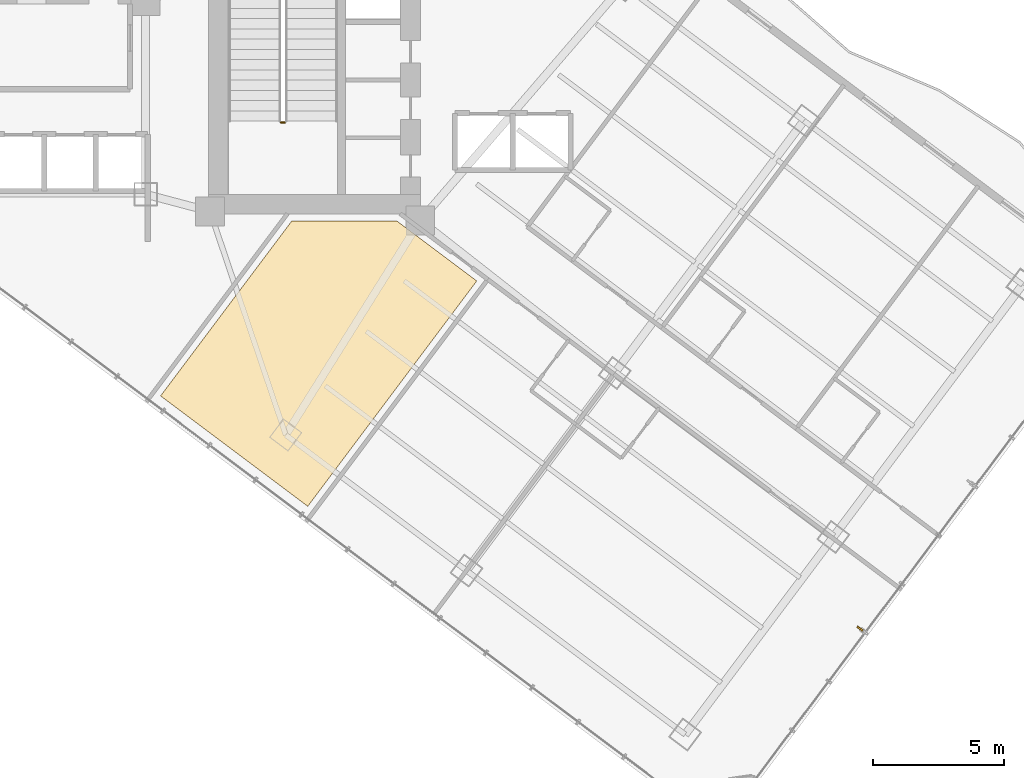
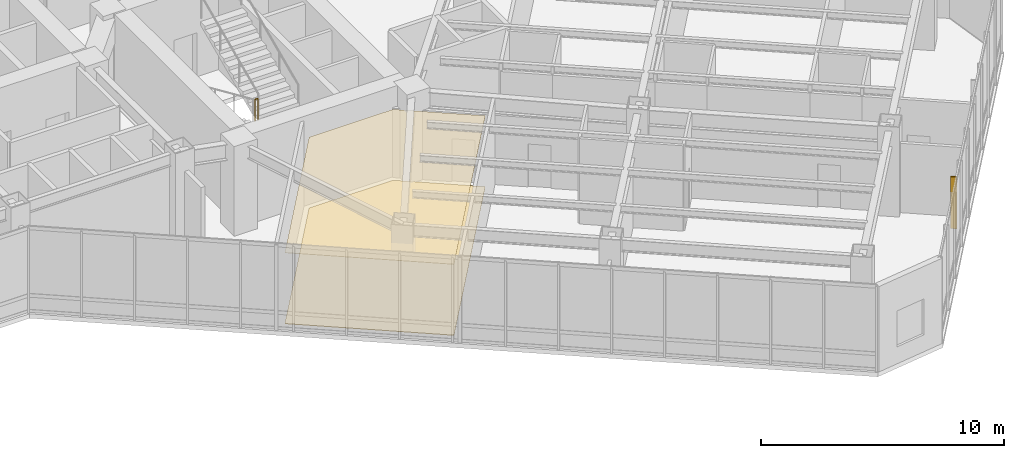
# One storey, part 23 of 27: 2 coverings, 1 railing, 1 shading device.
"""IFC4 building model written with IfcOpenShell, lengths in metres."""

import ifcopenshell
import ifcopenshell.guid

model = None  # the IFC model being written
_history = None  # IfcOwnerHistory: only IFC2X3 demands one
_inside = {}  # id of a spatial element -> (the spatial element, [elements in it])
_under = {}  # id of a project, library or spatial element -> (it, [spatial elements below it])
_declared = {}  # id of a project -> (the project, [libraries it declares])
_typed = {}  # id of a type object -> (the type object, [elements of that type])
_made_of = {}  # id of a material, layer set ... -> (it, [elements and type objects made of it])


def new_model(schema):
    """Start an empty IFC model of exactly this schema.

    Asked for "IFC4X3", IfcOpenShell would pick the latest addendum, in which some entities
    have other attributes; the version numbers below select the first issue.
    IFC2X3 requires an IfcOwnerHistory on every rooted entity: one is made here for all.
    """
    global model, _history
    if schema == "IFC4X3":
        model = ifcopenshell.file(schema_version=(4, 3, 0, 0))
    else:
        model = ifcopenshell.file(schema=schema)
    _inside.clear()
    _under.clear()
    _declared.clear()
    _typed.clear()
    _made_of.clear()
    _history = None
    if model.schema == "IFC2X3":
        org = make("IfcOrganization", Name="unknown")
        user = make(
            "IfcPersonAndOrganization",
            ThePerson=make("IfcPerson", FamilyName="unknown"),
            TheOrganization=org,
        )
        app = make(
            "IfcApplication",
            ApplicationDeveloper=org,
            Version="unknown",
            ApplicationFullName="unknown",
            ApplicationIdentifier="unknown",
        )
        _history = make(
            "IfcOwnerHistory",
            OwningUser=user,
            OwningApplication=app,
            ChangeAction="ADDED",
            CreationDate=0,
        )
    return model


def make(cls, **values):
    """One entity of the class cls with the attributes given. An attribute that is None is left unset."""
    return model.create_entity(
        cls, **{name: value for name, value in values.items() if value is not None}
    )


def rooted(cls, **values):
    """An entity with a GlobalId (a new one), such as an element, a storey or a relation."""
    return make(cls, GlobalId=ifcopenshell.guid.new(), OwnerHistory=_history, **values)


def si_unit(unit_type, name, prefix=None):
    """IfcSIUnit, for example si_unit("LENGTHUNIT", "METRE", prefix="MILLI")."""
    return make("IfcSIUnit", UnitType=unit_type, Prefix=prefix, Name=name)


def assignment(units):
    """IfcUnitAssignment: the units of a project."""
    return None if units is None else make("IfcUnitAssignment", Units=units)


def point(xyz):
    """IfcCartesianPoint."""
    return None if xyz is None else make("IfcCartesianPoint", Coordinates=xyz)


def direction(xyz):
    """IfcDirection."""
    return None if xyz is None else make("IfcDirection", DirectionRatios=xyz)


def frame(location, z_axis=None, x_axis=None):
    """IfcAxis2Placement3D, a coordinate frame: its origin and axes. An axis left out is left unset."""
    return make(
        "IfcAxis2Placement3D",
        Location=point(location),
        Axis=direction(z_axis),
        RefDirection=direction(x_axis),
    )


def frame_2d(location, x_axis=None):
    """IfcAxis2Placement2D, a coordinate frame in the plane: its origin and x axis."""
    return make(
        "IfcAxis2Placement2D", Location=point(location), RefDirection=direction(x_axis)
    )


def origin():
    """The frame at (0, 0, 0) with its axes left unset."""
    return frame((0.0, 0.0, 0.0))


def origin_2d():
    """The frame at (0, 0) in the plane with its x axis left unset."""
    return frame_2d((0.0, 0.0))


def place(relative_to, where):
    """IfcLocalPlacement: puts the frame where relative to a parent placement (None: the world)."""
    return make(
        "IfcLocalPlacement", PlacementRelTo=relative_to, RelativePlacement=where
    )


def context(
    kind, dimensions, precision=None, world=None, true_north=None, identifier=None
):
    """IfcGeometricRepresentationContext, for example the 3D "Model" context."""
    return make(
        "IfcGeometricRepresentationContext",
        ContextIdentifier=identifier,
        ContextType=kind,
        CoordinateSpaceDimension=dimensions,
        Precision=precision,
        WorldCoordinateSystem=world,
        TrueNorth=true_north,
    )


def subcontext(parent, identifier, kind, view, scale=None):
    """IfcGeometricRepresentationSubContext, for example "Body" below "Model"."""
    return make(
        "IfcGeometricRepresentationSubContext",
        ContextIdentifier=identifier,
        ContextType=kind,
        ParentContext=parent,
        TargetScale=scale,
        TargetView=view,
    )


def project(units=None, contexts=None):
    """IfcProject with its units and contexts."""
    return rooted(
        "IfcProject",
        Name="project",
        RepresentationContexts=contexts,
        UnitsInContext=assignment(units),
    )


def spatial(cls, under=None, at=None, **own):
    """A site, building, storey or space (cls), placed at a placement, below another one or the project."""
    s = rooted(cls, ObjectPlacement=at, **own)
    if under is not None:
        _under.setdefault(under.id(), (under, []))[1].append(s)
    return s


def polyline(points):
    """IfcPolyline through the points."""
    return make("IfcPolyline", Points=[point(p) for p in points])


def profile(cls, at=None, kind="AREA", **sizes):
    """A parametric profile (cls). Its sizes go by their IFC names, for example OverallWidth=200.0."""
    return make(cls, ProfileType=kind, Position=at, **sizes)


def rectangle(**sizes):
    """IfcRectangleProfileDef."""
    return profile("IfcRectangleProfileDef", **sizes)


def circle(**sizes):
    """IfcCircleProfileDef."""
    return profile("IfcCircleProfileDef", **sizes)


def outline(outer, holes=None, kind="AREA"):
    """IfcArbitraryClosedProfileDef: a profile drawn as a closed curve; with holes, ...WithVoids."""
    if holes is None:
        return make("IfcArbitraryClosedProfileDef", ProfileType=kind, OuterCurve=outer)
    return make(
        "IfcArbitraryProfileDefWithVoids",
        ProfileType=kind,
        OuterCurve=outer,
        InnerCurves=holes,
    )


def extrude(swept, where, along, depth):
    """IfcExtrudedAreaSolid: the profile swept, set in the frame where, extruded along a direction by depth."""
    return make(
        "IfcExtrudedAreaSolid",
        SweptArea=swept,
        Position=where,
        ExtrudedDirection=direction(along),
        Depth=depth,
    )


def shape(context_of_items, identifier, shape_type, items):
    """IfcShapeRepresentation: the items that make up one representation, for example the "Body"."""
    return make(
        "IfcShapeRepresentation",
        ContextOfItems=context_of_items,
        RepresentationIdentifier=identifier,
        RepresentationType=shape_type,
        Items=items,
    )


def material(Name=None, Category=None):
    """IfcMaterial."""
    return make("IfcMaterial", Name=Name, Category=Category)


def layer(
    of_material, thickness, ventilated=None, Name=None, Category=None, Priority=None
):
    """IfcMaterialLayer: one layer of a wall or slab, of a material (None: an air gap)."""
    return make(
        "IfcMaterialLayer",
        Material=of_material,
        LayerThickness=thickness,
        IsVentilated=ventilated,
        Name=Name,
        Category=Category,
        Priority=Priority,
    )


def layer_set(layers, Name=None):
    """IfcMaterialLayerSet."""
    return make("IfcMaterialLayerSet", MaterialLayers=layers, LayerSetName=Name)


def made_of(thing, what):
    """Note that an element or type object is made of a material, layer set ...; save() writes the relation."""
    if what is not None:
        _made_of.setdefault(what.id(), (what, []))[1].append(thing)
    return thing


def type_object(cls, material=None, **own):
    """A type object (cls), such as IfcWallType, which elements share."""
    return made_of(rooted(cls, **own), material)


def element(
    cls,
    number,
    at=None,
    inside=None,
    cuts=None,
    type_object=None,
    material=None,
    context=None,
    identifier="Body",
    shape_type=None,
    held_by="IfcProductDefinitionShape",
    body=None,
    shapes=None,
    **own,
):
    """One element of the class cls, such as IfcWall. Its Tag is "e" and its number.

    at: its placement. inside: the storey or other place that contains it. cuts: it is an
    opening in that element (IfcRelVoidsElement). A single representation is given by context,
    identifier, shape_type and body (its items); several are given by shapes. held_by: the class
    of the entity that holds the representations. save() writes the other relations.
    """
    e = rooted(cls, Tag="e%d" % number, ObjectPlacement=at, **own)
    if body is not None:
        shapes = [shape(context, identifier, shape_type, body)]
    if shapes is not None:
        e.Representation = make(held_by, Representations=shapes)
    if inside is not None:
        _inside.setdefault(inside.id(), (inside, []))[1].append(e)
    if cuts is not None:
        rooted(
            "IfcRelVoidsElement", RelatingBuildingElement=cuts, RelatedOpeningElement=e
        )
    if type_object is not None:
        _typed.setdefault(type_object.id(), (type_object, []))[1].append(e)
    return made_of(e, material)


def aggregate(whole, parts):
    """IfcRelAggregates: a whole, such as a stair, and the parts it consists of."""
    return rooted("IfcRelAggregates", RelatingObject=whole, RelatedObjects=parts)


def save(model, path):
    """Write the relations noted so far, then the file.

    IfcRelAggregates (storeys below a building ...), IfcRelContainedInSpatialStructure (elements
    in a storey), IfcRelDefinesByType, IfcRelAssociatesMaterial and IfcRelDeclares: one each for
    every whole, place, type object, material and project.
    """
    for whole, parts in _under.values():
        aggregate(whole, parts)
    for where, things in _inside.values():
        rooted(
            "IfcRelContainedInSpatialStructure",
            RelatedElements=things,
            RelatingStructure=where,
        )
    for kind, things in _typed.values():
        rooted("IfcRelDefinesByType", RelatedObjects=things, RelatingType=kind)
    for what, things in _made_of.values():
        rooted("IfcRelAssociatesMaterial", RelatedObjects=things, RelatingMaterial=what)
    for by, libraries in _declared.values():
        rooted("IfcRelDeclares", RelatingContext=by, RelatedDefinitions=libraries)
    model.write(path)


model = new_model("IFC4")

# Units and contexts
model_context = context("Model", 3, precision=1e-05, world=origin(), true_north=direction((0.0, 1.0)))
body_context = subcontext(model_context, "Body", "Model", "MODEL_VIEW")
ifc_project = project(units=[si_unit("LENGTHUNIT", "METRE"), si_unit("AREAUNIT", "SQUARE_METRE"), si_unit("VOLUMEUNIT", "CUBIC_METRE"), si_unit("PLANEANGLEUNIT", "RADIAN"), si_unit("MASSUNIT", "GRAM", prefix="KILO")], contexts=[model_context])

# Site, building, storey
site_placement = place(None, origin())
site = spatial("IfcSite", under=ifc_project, at=site_placement, CompositionType="ELEMENT")
building_placement = place(site_placement, origin())
building = spatial("IfcBuilding", under=site, at=building_placement, Name="Hatsunagi Terrace Concourse", CompositionType="ELEMENT")
storey_placement = place(building_placement, frame((0.0, 0.0, 70.10009765625)))
storey = spatial("IfcBuildingStorey", under=building, at=storey_placement, Name="L18", CompositionType="ELEMENT", Elevation=70.10009765625)

# Coverings
ifc_material_1 = material(Name="Acoustic mineral board", Category="gypsum")
ifc_layer_1 = layer(ifc_material_1, 0.02001953125)
ifc_layer_set_1 = layer_set([ifc_layer_1], Name="AcousticMineralCeiling_20")
covering_type_1 = type_object("IfcCoveringType", Name="AcousticMineralCeiling_20", PredefinedType="CEILING", material=ifc_layer_set_1)
covering_1_placement = place(storey_placement, frame((0.0, 0.0, 3.559814453125)))
element("IfcCovering", 1, at=covering_1_placement, inside=storey, type_object=covering_type_1, Name="Suspended Ceiling L18-2", PredefinedType="CEILING", context=body_context, shape_type="SweptSolid", body=[
    extrude(outline(polyline([(39.51806640625, 13.323974609375), (45.949951171875, 21.89990234375), (42.89697265625, 24.18994140625), (38.9169921875, 24.18994140625), (33.91796875, 17.52392578125), (39.51806640625, 13.323974609375)])), origin(), (0.0, 0.0, 1.0), 0.02001953125),
])
ifc_material_2 = material(Name="Granite stone paving", Category="masonry")
ifc_layer_2 = layer(ifc_material_2, 0.02490234375)
ifc_layer_set_2 = layer_set([ifc_layer_2], Name="GraniteStoneFlooring_25")
covering_type_2 = type_object("IfcCoveringType", Name="GraniteStoneFlooring_25", PredefinedType="FLOORING", material=ifc_layer_set_2)
covering_2_placement = place(storey_placement, origin())
element("IfcCovering", 2, at=covering_2_placement, inside=storey, type_object=covering_type_2, Name="Finished Flooring L18-2", PredefinedType="FLOORING", context=body_context, shape_type="SweptSolid", body=[
    extrude(outline(polyline([(39.51806640625, 13.323974609375), (45.949951171875, 21.89990234375), (42.89697265625, 24.18994140625), (38.9169921875, 24.18994140625), (33.91796875, 17.52392578125), (39.51806640625, 13.323974609375)])), origin(), (0.0, 0.0, 1.0), 0.02490234375),
])

# Railing
ifc_material_3 = material(Name="Stainless steel", Category="steel")
ifc_layer_3 = layer(ifc_material_3, 0.06005859375)
ifc_layer_set_3 = layer_set([ifc_layer_3], Name="StairWellGuard_Tower2000")
railing_type = type_object("IfcRailingType", Name="StairWellGuard_Tower2000", PredefinedType="BALUSTRADE", material=ifc_layer_set_3)
railing_placement = place(storey_placement, frame((38.5, 27.929931640625, 2.25)))
element("IfcRailing", 3, at=railing_placement, inside=storey, type_object=railing_type, Name="L18 ST-B stair guard 2", PredefinedType="BALUSTRADE", context=body_context, shape_type="SweptSolid", body=[
    extrude(circle(Radius=0.02392578125, at=origin_2d()), frame((0.0, 0.0, 1.09619140625), z_axis=(1.0, 0.0, 0.0), x_axis=(0.0, 1.0, 0.0)), (0.0, 0.0, 1.0), 0.14990234375),
    extrude(circle(Radius=0.02099609375, at=origin_2d()), origin(), (0.0, 0.0, 1.0), 1.072021484375),
    extrude(circle(Radius=0.02099609375, at=origin_2d()), frame((0.14990234375, 0.0, 0.0)), (0.0, 0.0, 1.0), 1.072021484375),
])

# Shading device
ifc_material_4 = material(Name="Extruded Unglazed Terracotta Baguette", Category="masonry")
shading_device_type = type_object("IfcShadingDeviceType", Name="TerracottaFinScreen_260x70", PredefinedType="USERDEFINED", material=ifc_material_4)
shading_device_placement = place(storey_placement, frame((60.5400390625, 8.6689453125, 0.849853515625), z_axis=(0.0, 0.0, 1.0), x_axis=(-0.599969314634, -0.800023013105, 0.0)))
element("IfcShadingDevice", 4, at=shading_device_placement, inside=storey, type_object=shading_device_type, Name="Terracotta Baguette Fin Screen SCR-01", ObjectType="SUNSHADE", PredefinedType="USERDEFINED", context=body_context, shape_type="SweptSolid", body=[
    extrude(rectangle(XDim=0.070068359375, YDim=0.260009765625, at=origin_2d()), origin(), (0.0, 0.0, 1.0), 2.60009765625),
])

save(model, "model.ifc")
